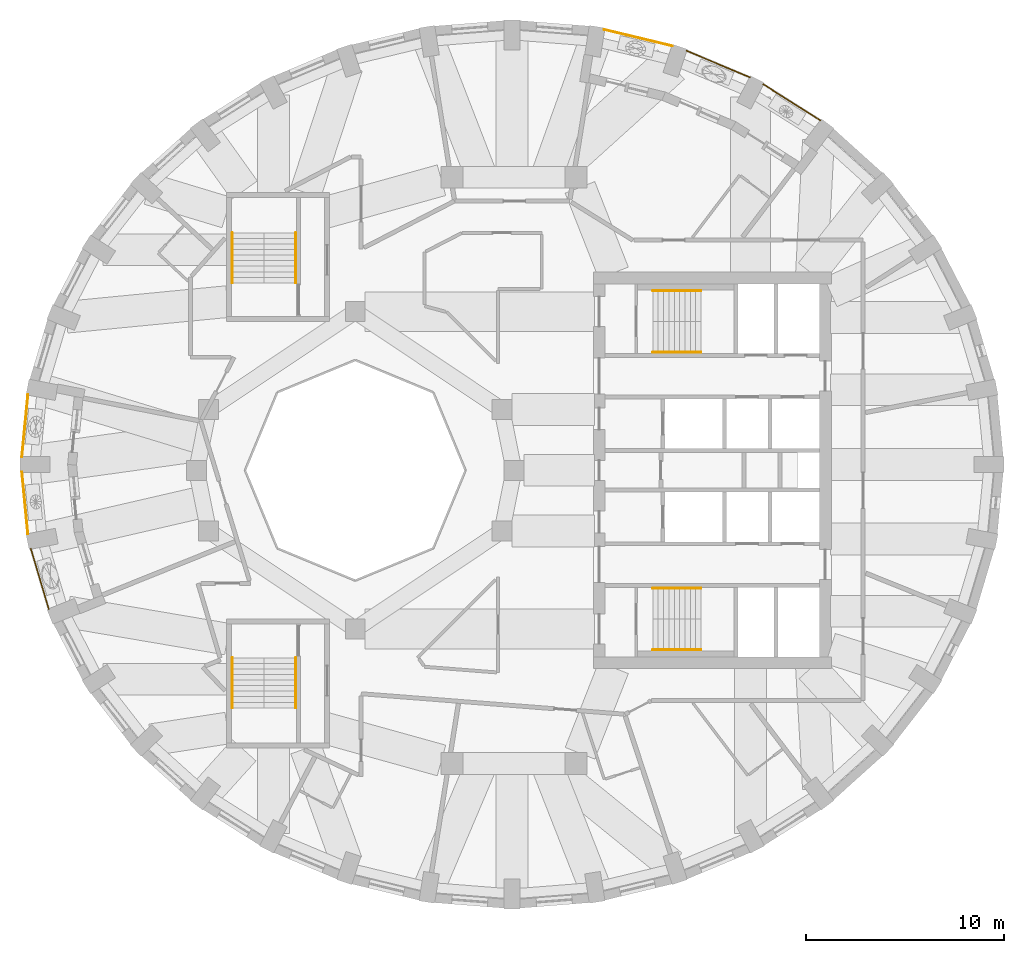
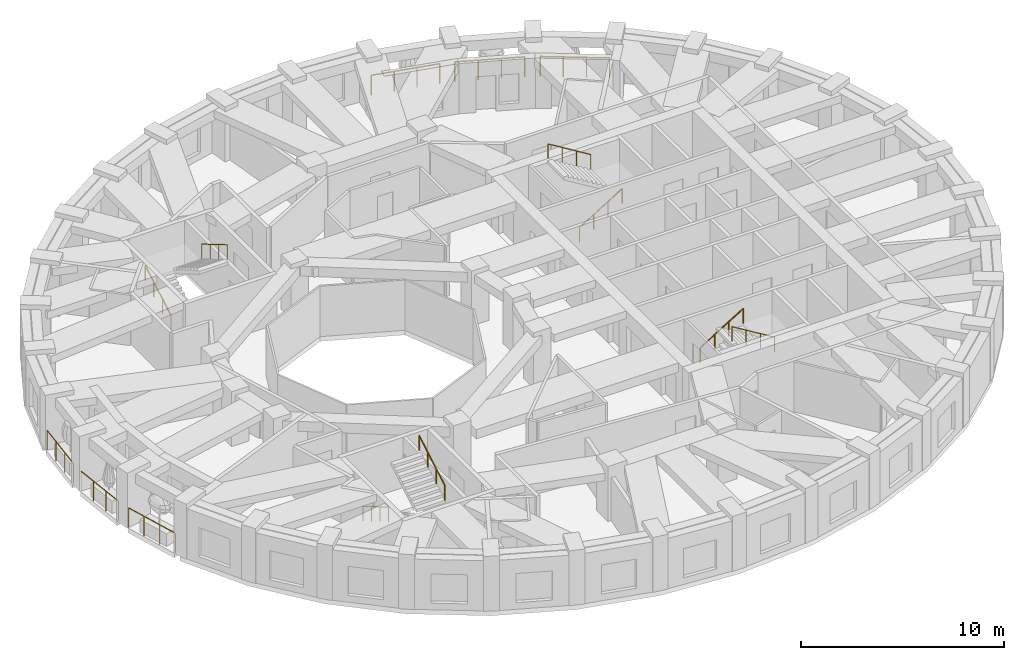
# One storey, part 10 of 12: 14 railings.
"""IFC4 building model written with IfcOpenShell, lengths in metres."""

from ifc_helpers import new_model, si_unit, direction, frame, origin, origin_2d, place, context, subcontext, project, spatial, circle, extrude, material, type_object, element, save


model = new_model("IFC4")

# Units and contexts
model_context = context("Model", 3, precision=1e-05, world=origin(), true_north=direction((0.0, 1.0)))
body_context = subcontext(model_context, "Body", "Model", "MODEL_VIEW")
ifc_project = project(units=[si_unit("LENGTHUNIT", "METRE"), si_unit("AREAUNIT", "SQUARE_METRE"), si_unit("VOLUMEUNIT", "CUBIC_METRE"), si_unit("PLANEANGLEUNIT", "RADIAN"), si_unit("MASSUNIT", "GRAM", prefix="KILO")], contexts=[model_context])

# Site, building, storey
site_placement = place(None, origin())
site = spatial("IfcSite", under=ifc_project, at=site_placement, CompositionType="ELEMENT")
building_placement = place(site_placement, origin())
building = spatial("IfcBuilding", under=site, at=building_placement, Name="Taillehof Tower", CompositionType="ELEMENT")
storey_placement = place(building_placement, frame((0.0, 0.0, 233.300048828125)))
storey = spatial("IfcBuildingStorey", under=building, at=storey_placement, Name="L66", CompositionType="ELEMENT", Elevation=233.300048828125)

# Railings
ifc_material_1 = material(Name="Stainless steel balustrade", Category="steel")
railing_type_1 = type_object("IfcRailingType", Name="Balcony guard 1200", PredefinedType="GUARDRAIL", material=ifc_material_1)
railing_1_placement = place(storey_placement, frame((-24.49853515625, 3.8115234375, 0.0)))
element("IfcRailing", 1, at=railing_1_placement, inside=storey, type_object=railing_type_1, Name="Balcony guard L66 bay 18", PredefinedType="GUARDRAIL", context=body_context, shape_type="SweptSolid", body=[
    extrude(circle(Radius=0.02392578125, at=origin_2d()), frame((0.0, 0.0, 1.17578125), z_axis=(-0.096691234516, -0.995314425279, 0.0), x_axis=(0.995314425279, -0.096691234516, 0.0)), (0.0, 0.0, 1.0), 3.14599609375),
    extrude(circle(Radius=0.02099609375, at=origin_2d()), origin(), (0.0, 0.0, 1.0), 1.15185546875),
    extrude(circle(Radius=0.02099609375, at=origin_2d()), frame((-0.101318359375, -1.043701171875, 0.0)), (0.0, 0.0, 1.0), 1.15185546875),
    extrude(circle(Radius=0.02099609375, at=origin_2d()), frame((-0.202880859375, -2.087646484375, 0.0)), (0.0, 0.0, 1.0), 1.15185546875),
    extrude(circle(Radius=0.02099609375, at=origin_2d()), frame((-0.30419921875, -3.13134765625, 0.0)), (0.0, 0.0, 1.0), 1.15185546875),
])
railing_2_placement = place(storey_placement, frame((-24.802734375, -0.080078125, 0.0)))
element("IfcRailing", 2, at=railing_2_placement, inside=storey, type_object=railing_type_1, Name="Balcony guard L66 bay 19", PredefinedType="GUARDRAIL", context=body_context, shape_type="SweptSolid", body=[
    extrude(circle(Radius=0.02392578125, at=origin_2d()), frame((0.0, 0.0, 1.17578125), z_axis=(0.096683766881, -0.995315150704, 0.0), x_axis=(0.995315150704, 0.096683766881, 0.0)), (0.0, 0.0, 1.0), 3.146240234375),
    extrude(circle(Radius=0.02099609375, at=origin_2d()), origin(), (0.0, 0.0, 1.0), 1.15185546875),
    extrude(circle(Radius=0.02099609375, at=origin_2d()), frame((0.101318359375, -1.0439453125, 0.0)), (0.0, 0.0, 1.0), 1.15185546875),
    extrude(circle(Radius=0.02099609375, at=origin_2d()), frame((0.202880859375, -2.087646484375, 0.0)), (0.0, 0.0, 1.0), 1.15185546875),
    extrude(circle(Radius=0.02099609375, at=origin_2d()), frame((0.30419921875, -3.131591796875, 0.0)), (0.0, 0.0, 1.0), 1.15185546875),
])
railing_3_placement = place(storey_placement, frame((-24.3525390625, -3.95751953125, 0.0)))
element("IfcRailing", 3, at=railing_3_placement, inside=storey, type_object=railing_type_1, Name="Balcony guard L66 bay 20", PredefinedType="GUARDRAIL", context=body_context, shape_type="SweptSolid", body=[
    extrude(circle(Radius=0.02392578125, at=origin_2d()), frame((0.0, 0.0, 1.17578125), z_axis=(0.285199702908, -0.958468116038, 0.0), x_axis=(0.958468116038, 0.285199702908, 0.0)), (0.0, 0.0, 1.0), 3.170654296875),
    extrude(circle(Radius=0.02099609375, at=origin_2d()), origin(), (0.0, 0.0, 1.0), 1.15185546875),
    extrude(circle(Radius=0.02099609375, at=origin_2d()), frame((0.301513671875, -1.012939453125, 0.0)), (0.0, 0.0, 1.0), 1.15185546875),
    extrude(circle(Radius=0.02099609375, at=origin_2d()), frame((0.602783203125, -2.026123046875, 0.0)), (0.0, 0.0, 1.0), 1.15185546875),
    extrude(circle(Radius=0.02099609375, at=origin_2d()), frame((0.904296875, -3.0390625, 0.0)), (0.0, 0.0, 1.0), 1.15185546875),
])
railing_4_placement = place(storey_placement, frame((15.452880859375, 17.637939453125, 0.0)))
element("IfcRailing", 4, at=railing_4_placement, inside=storey, type_object=railing_type_1, Name="Balcony guard L66 bay 6", PredefinedType="GUARDRAIL", context=body_context, shape_type="SweptSolid", body=[
    extrude(circle(Radius=0.02392578125, at=origin_2d()), frame((0.0, 0.0, 1.17578125), z_axis=(-0.845893321372, 0.533352124641, 0.0), x_axis=(-0.533352124641, -0.845893321372, 0.0)), (0.0, 0.0, 1.0), 3.412109375),
    extrude(circle(Radius=0.02099609375, at=origin_2d()), origin(), (0.0, 0.0, 1.0), 1.15185546875),
    extrude(circle(Radius=0.02099609375, at=origin_2d()), frame((-0.962158203125, 0.606689453125, 0.0)), (0.0, 0.0, 1.0), 1.15185546875),
    extrude(circle(Radius=0.02099609375, at=origin_2d()), frame((-1.924072265625, 1.213134765625, 0.0)), (0.0, 0.0, 1.0), 1.15185546875),
    extrude(circle(Radius=0.02099609375, at=origin_2d()), frame((-2.88623046875, 1.81982421875, 0.0)), (0.0, 0.0, 1.0), 1.15185546875),
])
railing_5_placement = place(storey_placement, frame((11.892333984375, 19.80859375, 0.0)))
element("IfcRailing", 5, at=railing_5_placement, inside=storey, type_object=railing_type_1, Name="Balcony guard L66 bay 7", PredefinedType="GUARDRAIL", context=body_context, shape_type="SweptSolid", body=[
    extrude(circle(Radius=0.02392578125, at=origin_2d()), frame((0.0, 0.0, 1.17578125), z_axis=(-0.922020278687, 0.38714158352, 0.0), x_axis=(-0.38714158352, -0.922020278687, 0.0)), (0.0, 0.0, 1.0), 3.47021484375),
    extrude(circle(Radius=0.02099609375, at=origin_2d()), origin(), (0.0, 0.0, 1.0), 1.15185546875),
    extrude(circle(Radius=0.02099609375, at=origin_2d()), frame((-1.066650390625, 0.44775390625, 0.0)), (0.0, 0.0, 1.0), 1.15185546875),
    extrude(circle(Radius=0.02099609375, at=origin_2d()), frame((-2.133056640625, 0.895751953125, 0.0)), (0.0, 0.0, 1.0), 1.15185546875),
    extrude(circle(Radius=0.02099609375, at=origin_2d()), frame((-3.19970703125, 1.343505859375, 0.0)), (0.0, 0.0, 1.0), 1.15185546875),
])
railing_6_placement = place(storey_placement, frame((7.97021484375, 21.38916015625, 0.0)))
element("IfcRailing", 6, at=railing_6_placement, inside=storey, type_object=railing_type_1, Name="Balcony guard L66 bay 8", PredefinedType="GUARDRAIL", context=body_context, shape_type="SweptSolid", body=[
    extrude(circle(Radius=0.02392578125, at=origin_2d()), frame((0.0, 0.0, 1.17578125), z_axis=(-0.972116636457, 0.234497857397, 0.0), x_axis=(-0.234497857397, -0.972116636457, 0.0)), (0.0, 0.0, 1.0), 3.5126953125),
    extrude(circle(Radius=0.02099609375, at=origin_2d()), origin(), (0.0, 0.0, 1.0), 1.15185546875),
    extrude(circle(Radius=0.02099609375, at=origin_2d()), frame((-1.13818359375, 0.274658203125, 0.0)), (0.0, 0.0, 1.0), 1.15185546875),
    extrude(circle(Radius=0.02099609375, at=origin_2d()), frame((-2.276611328125, 0.549072265625, 0.0)), (0.0, 0.0, 1.0), 1.15185546875),
    extrude(circle(Radius=0.02099609375, at=origin_2d()), frame((-3.414794921875, 0.82373046875, 0.0)), (0.0, 0.0, 1.0), 1.15185546875),
])
ifc_material_2 = material(Name="Stainless steel", Category="steel")
railing_type_2 = type_object("IfcRailingType", Name="Stair handrail 900", PredefinedType="HANDRAIL", material=ifc_material_2)
railing_7_placement = place(storey_placement, frame((7.0, 5.949951171875, 0.1650390625)))
element("IfcRailing", 7, at=railing_7_placement, inside=storey, type_object=railing_type_2, Name="Stair S1 handrail", PredefinedType="HANDRAIL", context=body_context, shape_type="SweptSolid", body=[
    extrude(circle(Radius=0.02392578125, at=origin_2d()), frame((0.0, 0.0, 0.8759765625), z_axis=(0.853296667938, 0.0, 0.521425734392), x_axis=(0.0, 1.0, 0.0)), (0.0, 0.0, 1.0), 2.84765625),
    extrude(circle(Radius=0.02099609375, at=origin_2d()), origin(), (0.0, 0.0, 1.0), 0.851806640625),
    extrude(circle(Radius=0.02099609375, at=origin_2d()), frame((0.81005859375, 0.0, 0.494873046875)), (0.0, 0.0, 1.0), 0.851806640625),
    extrude(circle(Radius=0.02099609375, at=origin_2d()), frame((1.619873046875, 0.0, 0.989990234375)), (0.0, 0.0, 1.0), 0.851806640625),
    extrude(circle(Radius=0.02099609375, at=origin_2d()), frame((2.429931640625, 0.0, 1.48486328125)), (0.0, 0.0, 1.0), 0.851806640625),
])
railing_8_placement = place(storey_placement, frame((9.429931640625, 9.050048828125, 1.81494140625)))
element("IfcRailing", 8, at=railing_8_placement, inside=storey, type_object=railing_type_2, Name="Stair S1 handrail", PredefinedType="HANDRAIL", context=body_context, shape_type="SweptSolid", body=[
    extrude(circle(Radius=0.02392578125, at=origin_2d()), frame((0.0, 0.0, 0.8759765625), z_axis=(-0.853258522278, 0.0, 0.521488153423), x_axis=(0.0, -1.0, 0.0)), (0.0, 0.0, 1.0), 2.847900390625),
    extrude(circle(Radius=0.02099609375, at=origin_2d()), origin(), (0.0, 0.0, 1.0), 0.851806640625),
    extrude(circle(Radius=0.02099609375, at=origin_2d()), frame((-0.81005859375, 0.0, 0.4951171875)), (0.0, 0.0, 1.0), 0.851806640625),
    extrude(circle(Radius=0.02099609375, at=origin_2d()), frame((-1.619873046875, 0.0, 0.989990234375)), (0.0, 0.0, 1.0), 0.851806640625),
    extrude(circle(Radius=0.02099609375, at=origin_2d()), frame((-2.429931640625, 0.0, 1.485107421875)), (0.0, 0.0, 1.0), 0.851806640625),
])
railing_9_placement = place(storey_placement, frame((7.0, -5.949951171875, 0.1650390625)))
element("IfcRailing", 9, at=railing_9_placement, inside=storey, type_object=railing_type_2, Name="Stair S2 handrail", PredefinedType="HANDRAIL", context=body_context, shape_type="SweptSolid", body=[
    extrude(circle(Radius=0.02392578125, at=origin_2d()), frame((0.0, 0.0, 0.8759765625), z_axis=(0.853296667938, 0.0, 0.521425734392), x_axis=(0.0, 1.0, 0.0)), (0.0, 0.0, 1.0), 2.84765625),
    extrude(circle(Radius=0.02099609375, at=origin_2d()), origin(), (0.0, 0.0, 1.0), 0.851806640625),
    extrude(circle(Radius=0.02099609375, at=origin_2d()), frame((0.81005859375, 0.0, 0.494873046875)), (0.0, 0.0, 1.0), 0.851806640625),
    extrude(circle(Radius=0.02099609375, at=origin_2d()), frame((1.619873046875, 0.0, 0.989990234375)), (0.0, 0.0, 1.0), 0.851806640625),
    extrude(circle(Radius=0.02099609375, at=origin_2d()), frame((2.429931640625, 0.0, 1.48486328125)), (0.0, 0.0, 1.0), 0.851806640625),
])
railing_10_placement = place(storey_placement, frame((9.429931640625, -9.050048828125, 1.81494140625)))
element("IfcRailing", 10, at=railing_10_placement, inside=storey, type_object=railing_type_2, Name="Stair S2 handrail", PredefinedType="HANDRAIL", context=body_context, shape_type="SweptSolid", body=[
    extrude(circle(Radius=0.02392578125, at=origin_2d()), frame((0.0, 0.0, 0.8759765625), z_axis=(-0.853258522278, 0.0, 0.521488153423), x_axis=(0.0, -1.0, 0.0)), (0.0, 0.0, 1.0), 2.847900390625),
    extrude(circle(Radius=0.02099609375, at=origin_2d()), origin(), (0.0, 0.0, 1.0), 0.851806640625),
    extrude(circle(Radius=0.02099609375, at=origin_2d()), frame((-0.81005859375, 0.0, 0.4951171875)), (0.0, 0.0, 1.0), 0.851806640625),
    extrude(circle(Radius=0.02099609375, at=origin_2d()), frame((-1.619873046875, 0.0, 0.989990234375)), (0.0, 0.0, 1.0), 0.851806640625),
    extrude(circle(Radius=0.02099609375, at=origin_2d()), frame((-2.429931640625, 0.0, 1.485107421875)), (0.0, 0.0, 1.0), 0.851806640625),
])
railing_11_placement = place(storey_placement, frame((-14.199951171875, 9.449951171875, 0.1650390625)))
element("IfcRailing", 11, at=railing_11_placement, inside=storey, type_object=railing_type_2, Name="Stair S3 handrail", PredefinedType="HANDRAIL", context=body_context, shape_type="SweptSolid", body=[
    extrude(circle(Radius=0.02392578125, at=origin_2d()), frame((0.0, 0.0, 0.8759765625), z_axis=(0.0, 0.861560626758, 0.507654692109), x_axis=(-1.0, 0.0, 0.0)), (0.0, 0.0, 1.0), 2.925048828125),
    extrude(circle(Radius=0.02099609375, at=origin_2d()), origin(), (0.0, 0.0, 1.0), 0.851806640625),
    extrude(circle(Radius=0.02099609375, at=origin_2d()), frame((0.0, 0.840087890625, 0.494873046875)), (0.0, 0.0, 1.0), 0.851806640625),
    extrude(circle(Radius=0.02099609375, at=origin_2d()), frame((0.0, 1.679931640625, 0.989990234375)), (0.0, 0.0, 1.0), 0.851806640625),
    extrude(circle(Radius=0.02099609375, at=origin_2d()), frame((0.0, 2.52001953125, 1.48486328125)), (0.0, 0.0, 1.0), 0.851806640625),
])
railing_12_placement = place(storey_placement, frame((-11.0, 11.969970703125, 1.81494140625)))
element("IfcRailing", 12, at=railing_12_placement, inside=storey, type_object=railing_type_2, Name="Stair S3 handrail", PredefinedType="HANDRAIL", context=body_context, shape_type="SweptSolid", body=[
    extrude(circle(Radius=0.02392578125, at=origin_2d()), frame((0.0, 0.0, 0.8759765625), z_axis=(0.0, -0.86152411907, 0.507716645641), x_axis=(1.0, 0.0, 0.0)), (0.0, 0.0, 1.0), 2.925048828125),
    extrude(circle(Radius=0.02099609375, at=origin_2d()), origin(), (0.0, 0.0, 1.0), 0.851806640625),
    extrude(circle(Radius=0.02099609375, at=origin_2d()), frame((0.0, -0.840087890625, 0.4951171875)), (0.0, 0.0, 1.0), 0.851806640625),
    extrude(circle(Radius=0.02099609375, at=origin_2d()), frame((0.0, -1.679931640625, 0.989990234375)), (0.0, 0.0, 1.0), 0.851806640625),
    extrude(circle(Radius=0.02099609375, at=origin_2d()), frame((0.0, -2.52001953125, 1.485107421875)), (0.0, 0.0, 1.0), 0.851806640625),
])
railing_13_placement = place(storey_placement, frame((-14.199951171875, -9.449951171875, 0.1650390625)))
element("IfcRailing", 13, at=railing_13_placement, inside=storey, type_object=railing_type_2, Name="Stair S4 handrail", PredefinedType="HANDRAIL", context=body_context, shape_type="SweptSolid", body=[
    extrude(circle(Radius=0.02392578125, at=origin_2d()), frame((0.0, 0.0, 0.8759765625), z_axis=(0.0, -0.861560626758, 0.507654692109), x_axis=(1.0, 0.0, 0.0)), (0.0, 0.0, 1.0), 2.925048828125),
    extrude(circle(Radius=0.02099609375, at=origin_2d()), origin(), (0.0, 0.0, 1.0), 0.851806640625),
    extrude(circle(Radius=0.02099609375, at=origin_2d()), frame((0.0, -0.840087890625, 0.494873046875)), (0.0, 0.0, 1.0), 0.851806640625),
    extrude(circle(Radius=0.02099609375, at=origin_2d()), frame((0.0, -1.679931640625, 0.989990234375)), (0.0, 0.0, 1.0), 0.851806640625),
    extrude(circle(Radius=0.02099609375, at=origin_2d()), frame((0.0, -2.52001953125, 1.48486328125)), (0.0, 0.0, 1.0), 0.851806640625),
])
railing_14_placement = place(storey_placement, frame((-11.0, -11.969970703125, 1.81494140625)))
element("IfcRailing", 14, at=railing_14_placement, inside=storey, type_object=railing_type_2, Name="Stair S4 handrail", PredefinedType="HANDRAIL", context=body_context, shape_type="SweptSolid", body=[
    extrude(circle(Radius=0.02392578125, at=origin_2d()), frame((0.0, 0.0, 0.8759765625), z_axis=(0.0, 0.86152411907, 0.507716645641), x_axis=(-1.0, 0.0, 0.0)), (0.0, 0.0, 1.0), 2.925048828125),
    extrude(circle(Radius=0.02099609375, at=origin_2d()), origin(), (0.0, 0.0, 1.0), 0.851806640625),
    extrude(circle(Radius=0.02099609375, at=origin_2d()), frame((0.0, 0.840087890625, 0.4951171875)), (0.0, 0.0, 1.0), 0.851806640625),
    extrude(circle(Radius=0.02099609375, at=origin_2d()), frame((0.0, 1.679931640625, 0.989990234375)), (0.0, 0.0, 1.0), 0.851806640625),
    extrude(circle(Radius=0.02099609375, at=origin_2d()), frame((0.0, 2.52001953125, 1.485107421875)), (0.0, 0.0, 1.0), 0.851806640625),
])

save(model, "model.ifc")
